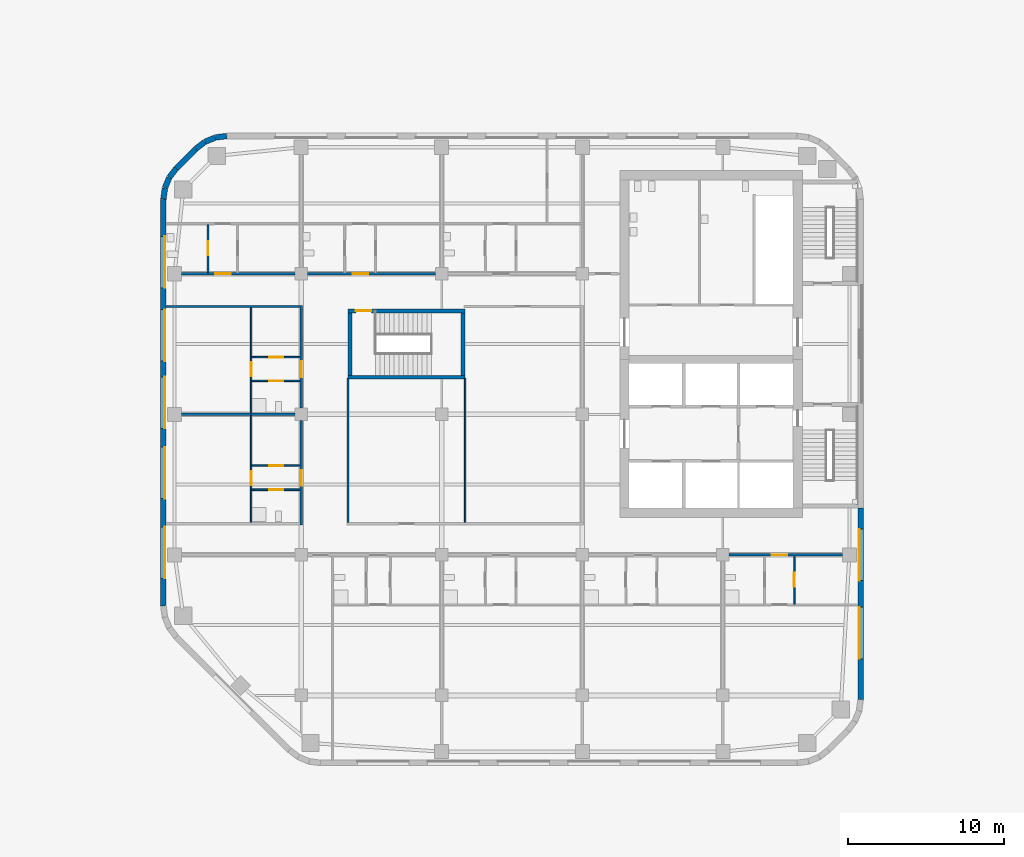
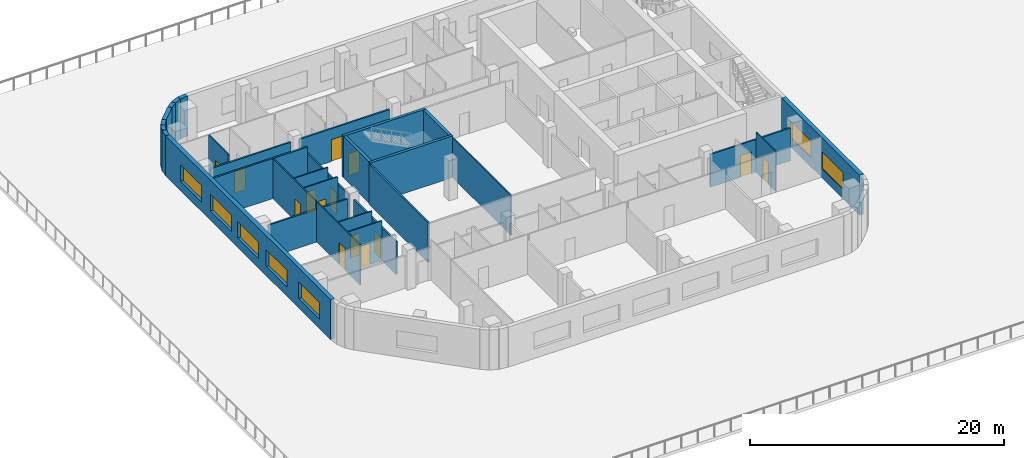
# One storey, part 6 of 18: 30 walls, 14 doors, 7 windows, 21 openings.
"""IFC4 building model written with IfcOpenShell, lengths in metres."""

import ifcopenshell
import ifcopenshell.guid

model = None  # the IFC model being written
_history = None  # IfcOwnerHistory: only IFC2X3 demands one
_inside = {}  # id of a spatial element -> (the spatial element, [elements in it])
_under = {}  # id of a project, library or spatial element -> (it, [spatial elements below it])
_declared = {}  # id of a project -> (the project, [libraries it declares])
_typed = {}  # id of a type object -> (the type object, [elements of that type])
_made_of = {}  # id of a material, layer set ... -> (it, [elements and type objects made of it])


def new_model(schema):
    """Start an empty IFC model of exactly this schema.

    Asked for "IFC4X3", IfcOpenShell would pick the latest addendum, in which some entities
    have other attributes; the version numbers below select the first issue.
    IFC2X3 requires an IfcOwnerHistory on every rooted entity: one is made here for all.
    """
    global model, _history
    if schema == "IFC4X3":
        model = ifcopenshell.file(schema_version=(4, 3, 0, 0))
    else:
        model = ifcopenshell.file(schema=schema)
    _inside.clear()
    _under.clear()
    _declared.clear()
    _typed.clear()
    _made_of.clear()
    _history = None
    if model.schema == "IFC2X3":
        org = make("IfcOrganization", Name="unknown")
        user = make(
            "IfcPersonAndOrganization",
            ThePerson=make("IfcPerson", FamilyName="unknown"),
            TheOrganization=org,
        )
        app = make(
            "IfcApplication",
            ApplicationDeveloper=org,
            Version="unknown",
            ApplicationFullName="unknown",
            ApplicationIdentifier="unknown",
        )
        _history = make(
            "IfcOwnerHistory",
            OwningUser=user,
            OwningApplication=app,
            ChangeAction="ADDED",
            CreationDate=0,
        )
    return model


def make(cls, **values):
    """One entity of the class cls with the attributes given. An attribute that is None is left unset."""
    return model.create_entity(
        cls, **{name: value for name, value in values.items() if value is not None}
    )


def rooted(cls, **values):
    """An entity with a GlobalId (a new one), such as an element, a storey or a relation."""
    return make(cls, GlobalId=ifcopenshell.guid.new(), OwnerHistory=_history, **values)


def si_unit(unit_type, name, prefix=None):
    """IfcSIUnit, for example si_unit("LENGTHUNIT", "METRE", prefix="MILLI")."""
    return make("IfcSIUnit", UnitType=unit_type, Prefix=prefix, Name=name)


def assignment(units):
    """IfcUnitAssignment: the units of a project."""
    return None if units is None else make("IfcUnitAssignment", Units=units)


def point(xyz):
    """IfcCartesianPoint."""
    return None if xyz is None else make("IfcCartesianPoint", Coordinates=xyz)


def direction(xyz):
    """IfcDirection."""
    return None if xyz is None else make("IfcDirection", DirectionRatios=xyz)


def frame(location, z_axis=None, x_axis=None):
    """IfcAxis2Placement3D, a coordinate frame: its origin and axes. An axis left out is left unset."""
    return make(
        "IfcAxis2Placement3D",
        Location=point(location),
        Axis=direction(z_axis),
        RefDirection=direction(x_axis),
    )


def frame_2d(location, x_axis=None):
    """IfcAxis2Placement2D, a coordinate frame in the plane: its origin and x axis."""
    return make(
        "IfcAxis2Placement2D", Location=point(location), RefDirection=direction(x_axis)
    )


def origin():
    """The frame at (0, 0, 0) with its axes left unset."""
    return frame((0.0, 0.0, 0.0))


def place(relative_to, where):
    """IfcLocalPlacement: puts the frame where relative to a parent placement (None: the world)."""
    return make(
        "IfcLocalPlacement", PlacementRelTo=relative_to, RelativePlacement=where
    )


def context(
    kind, dimensions, precision=None, world=None, true_north=None, identifier=None
):
    """IfcGeometricRepresentationContext, for example the 3D "Model" context."""
    return make(
        "IfcGeometricRepresentationContext",
        ContextIdentifier=identifier,
        ContextType=kind,
        CoordinateSpaceDimension=dimensions,
        Precision=precision,
        WorldCoordinateSystem=world,
        TrueNorth=true_north,
    )


def subcontext(parent, identifier, kind, view, scale=None):
    """IfcGeometricRepresentationSubContext, for example "Body" below "Model"."""
    return make(
        "IfcGeometricRepresentationSubContext",
        ContextIdentifier=identifier,
        ContextType=kind,
        ParentContext=parent,
        TargetScale=scale,
        TargetView=view,
    )


def project(units=None, contexts=None):
    """IfcProject with its units and contexts."""
    return rooted(
        "IfcProject",
        Name="project",
        RepresentationContexts=contexts,
        UnitsInContext=assignment(units),
    )


def spatial(cls, under=None, at=None, **own):
    """A site, building, storey or space (cls), placed at a placement, below another one or the project."""
    s = rooted(cls, ObjectPlacement=at, **own)
    if under is not None:
        _under.setdefault(under.id(), (under, []))[1].append(s)
    return s


def profile(cls, at=None, kind="AREA", **sizes):
    """A parametric profile (cls). Its sizes go by their IFC names, for example OverallWidth=200.0."""
    return make(cls, ProfileType=kind, Position=at, **sizes)


def rectangle(**sizes):
    """IfcRectangleProfileDef."""
    return profile("IfcRectangleProfileDef", **sizes)


def extrude(swept, where, along, depth):
    """IfcExtrudedAreaSolid: the profile swept, set in the frame where, extruded along a direction by depth."""
    return make(
        "IfcExtrudedAreaSolid",
        SweptArea=swept,
        Position=where,
        ExtrudedDirection=direction(along),
        Depth=depth,
    )


def shape(context_of_items, identifier, shape_type, items):
    """IfcShapeRepresentation: the items that make up one representation, for example the "Body"."""
    return make(
        "IfcShapeRepresentation",
        ContextOfItems=context_of_items,
        RepresentationIdentifier=identifier,
        RepresentationType=shape_type,
        Items=items,
    )


def material(Name=None, Category=None):
    """IfcMaterial."""
    return make("IfcMaterial", Name=Name, Category=Category)


def layer(
    of_material, thickness, ventilated=None, Name=None, Category=None, Priority=None
):
    """IfcMaterialLayer: one layer of a wall or slab, of a material (None: an air gap)."""
    return make(
        "IfcMaterialLayer",
        Material=of_material,
        LayerThickness=thickness,
        IsVentilated=ventilated,
        Name=Name,
        Category=Category,
        Priority=Priority,
    )


def layer_set(layers, Name=None):
    """IfcMaterialLayerSet."""
    return make("IfcMaterialLayerSet", MaterialLayers=layers, LayerSetName=Name)


def made_of(thing, what):
    """Note that an element or type object is made of a material, layer set ...; save() writes the relation."""
    if what is not None:
        _made_of.setdefault(what.id(), (what, []))[1].append(thing)
    return thing


def type_object(cls, material=None, **own):
    """A type object (cls), such as IfcWallType, which elements share."""
    return made_of(rooted(cls, **own), material)


def element(
    cls,
    number,
    at=None,
    inside=None,
    cuts=None,
    type_object=None,
    material=None,
    context=None,
    identifier="Body",
    shape_type=None,
    held_by="IfcProductDefinitionShape",
    body=None,
    shapes=None,
    **own,
):
    """One element of the class cls, such as IfcWall. Its Tag is "e" and its number.

    at: its placement. inside: the storey or other place that contains it. cuts: it is an
    opening in that element (IfcRelVoidsElement). A single representation is given by context,
    identifier, shape_type and body (its items); several are given by shapes. held_by: the class
    of the entity that holds the representations. save() writes the other relations.
    """
    e = rooted(cls, Tag="e%d" % number, ObjectPlacement=at, **own)
    if body is not None:
        shapes = [shape(context, identifier, shape_type, body)]
    if shapes is not None:
        e.Representation = make(held_by, Representations=shapes)
    if inside is not None:
        _inside.setdefault(inside.id(), (inside, []))[1].append(e)
    if cuts is not None:
        rooted(
            "IfcRelVoidsElement", RelatingBuildingElement=cuts, RelatedOpeningElement=e
        )
    if type_object is not None:
        _typed.setdefault(type_object.id(), (type_object, []))[1].append(e)
    return made_of(e, material)


def fill(opening, filler):
    """IfcRelFillsElement: the door or window that sits in an opening."""
    return rooted(
        "IfcRelFillsElement",
        RelatingOpeningElement=opening,
        RelatedBuildingElement=filler,
    )


def aggregate(whole, parts):
    """IfcRelAggregates: a whole, such as a stair, and the parts it consists of."""
    return rooted("IfcRelAggregates", RelatingObject=whole, RelatedObjects=parts)


def save(model, path):
    """Write the relations noted so far, then the file.

    IfcRelAggregates (storeys below a building ...), IfcRelContainedInSpatialStructure (elements
    in a storey), IfcRelDefinesByType, IfcRelAssociatesMaterial and IfcRelDeclares: one each for
    every whole, place, type object, material and project.
    """
    for whole, parts in _under.values():
        aggregate(whole, parts)
    for where, things in _inside.values():
        rooted(
            "IfcRelContainedInSpatialStructure",
            RelatedElements=things,
            RelatingStructure=where,
        )
    for kind, things in _typed.values():
        rooted("IfcRelDefinesByType", RelatedObjects=things, RelatingType=kind)
    for what, things in _made_of.values():
        rooted("IfcRelAssociatesMaterial", RelatedObjects=things, RelatingMaterial=what)
    for by, libraries in _declared.values():
        rooted("IfcRelDeclares", RelatingContext=by, RelatedDefinitions=libraries)
    model.write(path)


model = new_model("IFC4")

# Units and contexts
model_context = context("Model", 3, precision=1e-05, world=origin(), true_north=direction((0.0, 1.0)))
body_context = subcontext(model_context, "Body", "Model", "MODEL_VIEW")
ifc_project = project(units=[si_unit("LENGTHUNIT", "METRE"), si_unit("AREAUNIT", "SQUARE_METRE"), si_unit("VOLUMEUNIT", "CUBIC_METRE"), si_unit("PLANEANGLEUNIT", "RADIAN"), si_unit("MASSUNIT", "GRAM", prefix="KILO")], contexts=[model_context])

# Site, building, storey
site_placement = place(None, origin())
site = spatial("IfcSite", under=ifc_project, at=site_placement, CompositionType="ELEMENT")
building_placement = place(site_placement, origin())
building = spatial("IfcBuilding", under=site, at=building_placement, Name="Cinnabar Reach Civic Tower", CompositionType="ELEMENT")
storey_placement = place(building_placement, frame((0.0, 0.0, 26.0)))
storey = spatial("IfcBuildingStorey", under=building, at=storey_placement, Name="L05", CompositionType="ELEMENT", Elevation=26.0)

# Walls
ifc_material_1 = material(Name="Facing brick with insulated backing", Category="masonry")
ifc_layer_1 = layer(ifc_material_1, 0.36)
ifc_layer_set_1 = layer_set([ifc_layer_1], Name="Brick corner wall")
wall_type_1 = type_object("IfcWallType", Name="Brick corner wall", PredefinedType="STANDARD", material=ifc_layer_set_1)
for number, where, z_axis, x_axis, name in (
    (1, (-67.7686, 44.817, 0.0), (0.0, 0.0, 1.0), (-0.99144092581, -0.13055608231, 0.0), "Brick corner wall"),
    (2, (-68.4973, 44.7181, 0.0), (0.0, 0.0, 1.0), (-0.923871547278, -0.382702709855, 0.0), "Brick corner wall"),
):
    element("IfcWall", number, at=place(storey_placement, frame(where, z_axis=z_axis, x_axis=x_axis)), inside=storey, type_object=wall_type_1, Name=name, PredefinedType="STANDARD", context=body_context, shape_type="SweptSolid", body=[
        extrude(rectangle(XDim=0.7131, YDim=0.36, at=frame_2d((0.3565, 0.0))), origin(), (0.0, 0.0, 1.0), 3.85),
    ])
for number, where, z_axis, x_axis, name in (
    (3, (-69.1755, 44.434, 0.0), (0.0, 0.0, 1.0), (-0.793321924995, -0.608802368033, 0.0), "Brick corner wall"),
    (4, (-70.9998, 42.7413, 0.0), (0.0, 0.0, 1.0), (-0.608802368033, -0.793321924995, 0.0), "Brick corner wall"),
):
    element("IfcWall", number, at=place(storey_placement, frame(where, z_axis=z_axis, x_axis=x_axis)), inside=storey, type_object=wall_type_1, Name=name, PredefinedType="STANDARD", context=body_context, shape_type="SweptSolid", body=[
        extrude(rectangle(XDim=0.7132, YDim=0.36, at=frame_2d((0.3566, 0.0))), origin(), (0.0, 0.0, 1.0), 3.85),
    ])
for number, where, z_axis, x_axis, name in (
    (5, (-71.4452, 42.1561, 0.0), (0.0, 0.0, 1.0), (-0.382702709855, -0.923871547278, 0.0), "Brick corner wall"),
    (6, (-71.7239, 41.4756, 0.0), (0.0, 0.0, 1.0), (-0.13055608231, -0.99144092581, 0.0), "Brick corner wall"),
):
    element("IfcWall", number, at=place(storey_placement, frame(where, z_axis=z_axis, x_axis=x_axis)), inside=storey, type_object=wall_type_1, Name=name, PredefinedType="STANDARD", context=body_context, shape_type="SweptSolid", body=[
        extrude(rectangle(XDim=0.7131, YDim=0.36, at=frame_2d((0.3565, 0.0))), origin(), (0.0, 0.0, 1.0), 3.85),
    ])

# Wall, openings, windows
ifc_layer_2 = layer(ifc_material_1, 0.36)
ifc_layer_set_2 = layer_set([ifc_layer_2], Name="Brick pier and spandrel wall")
wall_type_2 = type_object("IfcWallType", Name="Brick pier and spandrel wall", PredefinedType="STANDARD", material=ifc_layer_set_2)
wall_1_placement = place(storey_placement, frame((-27.18, 8.7426, 0.0), z_axis=(0.0, 0.0, 1.0), x_axis=(0.0, 1.0, 0.0)))
wall_1 = element("IfcWall", 7, at=wall_1_placement, inside=storey, type_object=wall_type_2, Name="Brick facade wall", PredefinedType="STANDARD", context=body_context, shape_type="SweptSolid", body=[
    extrude(rectangle(XDim=12.2574, YDim=0.36, at=frame_2d((6.1287, 0.0))), origin(), (0.0, 0.0, 1.0), 3.85),
])
opening_1_placement = place(wall_1_placement, frame((2.6074, 0.0, 0.9)))
opening_1 = element("IfcOpeningElement", 8, at=opening_1_placement, cuts=wall_1, Name="Opening W2356", PredefinedType="OPENING", context=body_context, shape_type="SweptSolid", body=[
    extrude(rectangle(XDim=3.3, YDim=1.6, at=frame_2d((1.65, 0.8))), frame((0.0, 0.19, 0.0), z_axis=(0.0, -1.0, 0.0), x_axis=(1.0, 0.0, 0.0)), (0.0, 0.0, 1.0), 0.38),
])
opening_2_placement = place(wall_1_placement, frame((7.6074, 0.0, 0.9)))
opening_2 = element("IfcOpeningElement", 9, at=opening_2_placement, cuts=wall_1, Name="Opening W2357", PredefinedType="OPENING", context=body_context, shape_type="SweptSolid", body=[
    extrude(rectangle(XDim=3.3, YDim=1.6, at=frame_2d((1.65, 0.8))), frame((0.0, 0.19, 0.0), z_axis=(0.0, -1.0, 0.0), x_axis=(1.0, 0.0, 0.0)), (0.0, 0.0, 1.0), 0.38),
])
ifc_material_2 = material(Name="Clear double glazing in aluminium frame", Category="aluminium")
window_type = type_object("IfcWindowType", Name="Deep-set window A", PartitioningType="SINGLE_PANEL", PredefinedType="WINDOW", material=ifc_material_2)
window_1_placement = place(opening_1_placement, origin())
window_1 = element("IfcWindow", 10, at=window_1_placement, inside=storey, type_object=window_type, Name="Window east face", OverallHeight=1.6, OverallWidth=3.3, PartitioningType="SINGLE_PANEL", PredefinedType="WINDOW", context=body_context, shape_type="SweptSolid", body=[
    extrude(rectangle(XDim=3.3, YDim=1.6, at=frame_2d((1.65, 0.8))), frame((0.0, 0.13, 0.0), z_axis=(0.0, -1.0, 0.0), x_axis=(1.0, 0.0, 0.0)), (0.0, 0.0, 1.0), 0.06),
])
fill(opening_1, window_1)
window_2_placement = place(opening_2_placement, origin())
window_2 = element("IfcWindow", 11, at=window_2_placement, inside=storey, type_object=window_type, Name="Window east face", OverallHeight=1.6, OverallWidth=3.3, PartitioningType="SINGLE_PANEL", PredefinedType="WINDOW", context=body_context, shape_type="SweptSolid", body=[
    extrude(rectangle(XDim=3.3, YDim=1.6, at=frame_2d((1.65, 0.8))), frame((0.0, 0.13, 0.0), z_axis=(0.0, -1.0, 0.0), x_axis=(1.0, 0.0, 0.0)), (0.0, 0.0, 1.0), 0.06),
])
fill(opening_2, window_2)

# Wall
wall_2_placement = place(storey_placement, frame((-69.7514, 43.994, 0.0), z_axis=(0.0, 0.0, 1.0), x_axis=(-0.707106781187, -0.707106781187, 0.0)))
element("IfcWall", 12, at=wall_2_placement, inside=storey, type_object=wall_type_2, Name="Brick facade wall", PredefinedType="STANDARD", context=body_context, shape_type="SweptSolid", body=[
    extrude(rectangle(XDim=1.7573, YDim=0.36, at=frame_2d((0.8787, 0.0))), origin(), (0.0, 0.0, 1.0), 3.85),
])

# Wall, openings, windows
wall_3_placement = place(storey_placement, frame((-71.82, 40.7574, 0.0), z_axis=(0.0, 0.0, 1.0), x_axis=(0.0, -1.0, 0.0)))
wall_3 = element("IfcWall", 13, at=wall_3_placement, inside=storey, type_object=wall_type_2, Name="Brick facade wall", PredefinedType="STANDARD", context=body_context, shape_type="SweptSolid", body=[
    extrude(rectangle(XDim=26.0148, YDim=0.36, at=frame_2d((13.0074, 0.0))), origin(), (0.0, 0.0, 1.0), 3.85),
])
opening_3_placement = place(wall_3_placement, frame((2.3574, 0.0, 0.9)))
opening_3 = element("IfcOpeningElement", 14, at=opening_3_placement, cuts=wall_3, Name="Opening W2366", PredefinedType="OPENING", context=body_context, shape_type="SweptSolid", body=[
    extrude(rectangle(XDim=3.3, YDim=1.6, at=frame_2d((1.65, 0.8))), frame((0.0, 0.19, 0.0), z_axis=(0.0, -1.0, 0.0), x_axis=(1.0, 0.0, 0.0)), (0.0, 0.0, 1.0), 0.38),
])
opening_4_placement = place(wall_3_placement, frame((7.0574, 0.0, 0.9)))
opening_4 = element("IfcOpeningElement", 15, at=opening_4_placement, cuts=wall_3, Name="Opening W2367", PredefinedType="OPENING", context=body_context, shape_type="SweptSolid", body=[
    extrude(rectangle(XDim=3.3, YDim=1.6, at=frame_2d((1.65, 0.8))), frame((0.0, 0.19, 0.0), z_axis=(0.0, -1.0, 0.0), x_axis=(1.0, 0.0, 0.0)), (0.0, 0.0, 1.0), 0.38),
])
opening_5_placement = place(wall_3_placement, frame((11.3574, 0.0, 0.9)))
opening_5 = element("IfcOpeningElement", 16, at=opening_5_placement, cuts=wall_3, Name="Opening W2368", PredefinedType="OPENING", context=body_context, shape_type="SweptSolid", body=[
    extrude(rectangle(XDim=3.3, YDim=1.6, at=frame_2d((1.65, 0.8))), frame((0.0, 0.19, 0.0), z_axis=(0.0, -1.0, 0.0), x_axis=(1.0, 0.0, 0.0)), (0.0, 0.0, 1.0), 0.38),
])
opening_6_placement = place(wall_3_placement, frame((15.8574, 0.0, 0.9)))
opening_6 = element("IfcOpeningElement", 17, at=opening_6_placement, cuts=wall_3, Name="Opening W2369", PredefinedType="OPENING", context=body_context, shape_type="SweptSolid", body=[
    extrude(rectangle(XDim=3.3, YDim=1.6, at=frame_2d((1.65, 0.8))), frame((0.0, 0.19, 0.0), z_axis=(0.0, -1.0, 0.0), x_axis=(1.0, 0.0, 0.0)), (0.0, 0.0, 1.0), 0.38),
])
opening_7_placement = place(wall_3_placement, frame((20.9574, 0.0, 0.9)))
opening_7 = element("IfcOpeningElement", 18, at=opening_7_placement, cuts=wall_3, Name="Opening W2370", PredefinedType="OPENING", context=body_context, shape_type="SweptSolid", body=[
    extrude(rectangle(XDim=3.3, YDim=1.6, at=frame_2d((1.65, 0.8))), frame((0.0, 0.19, 0.0), z_axis=(0.0, -1.0, 0.0), x_axis=(1.0, 0.0, 0.0)), (0.0, 0.0, 1.0), 0.38),
])
window_3_placement = place(opening_3_placement, origin())
window_3 = element("IfcWindow", 19, at=window_3_placement, inside=storey, type_object=window_type, Name="Window west face", OverallHeight=1.6, OverallWidth=3.3, PartitioningType="SINGLE_PANEL", PredefinedType="WINDOW", context=body_context, shape_type="SweptSolid", body=[
    extrude(rectangle(XDim=3.3, YDim=1.6, at=frame_2d((1.65, 0.8))), frame((0.0, 0.13, 0.0), z_axis=(0.0, -1.0, 0.0), x_axis=(1.0, 0.0, 0.0)), (0.0, 0.0, 1.0), 0.06),
])
fill(opening_3, window_3)
window_4_placement = place(opening_4_placement, origin())
window_4 = element("IfcWindow", 20, at=window_4_placement, inside=storey, type_object=window_type, Name="Window west face", OverallHeight=1.6, OverallWidth=3.3, PartitioningType="SINGLE_PANEL", PredefinedType="WINDOW", context=body_context, shape_type="SweptSolid", body=[
    extrude(rectangle(XDim=3.3, YDim=1.6, at=frame_2d((1.65, 0.8))), frame((0.0, 0.13, 0.0), z_axis=(0.0, -1.0, 0.0), x_axis=(1.0, 0.0, 0.0)), (0.0, 0.0, 1.0), 0.06),
])
fill(opening_4, window_4)
window_5_placement = place(opening_5_placement, origin())
window_5 = element("IfcWindow", 21, at=window_5_placement, inside=storey, type_object=window_type, Name="Window west face", OverallHeight=1.6, OverallWidth=3.3, PartitioningType="SINGLE_PANEL", PredefinedType="WINDOW", context=body_context, shape_type="SweptSolid", body=[
    extrude(rectangle(XDim=3.3, YDim=1.6, at=frame_2d((1.65, 0.8))), frame((0.0, 0.13, 0.0), z_axis=(0.0, -1.0, 0.0), x_axis=(1.0, 0.0, 0.0)), (0.0, 0.0, 1.0), 0.06),
])
fill(opening_5, window_5)
window_6_placement = place(opening_6_placement, origin())
window_6 = element("IfcWindow", 22, at=window_6_placement, inside=storey, type_object=window_type, Name="Window west face", OverallHeight=1.6, OverallWidth=3.3, PartitioningType="SINGLE_PANEL", PredefinedType="WINDOW", context=body_context, shape_type="SweptSolid", body=[
    extrude(rectangle(XDim=3.3, YDim=1.6, at=frame_2d((1.65, 0.8))), frame((0.0, 0.13, 0.0), z_axis=(0.0, -1.0, 0.0), x_axis=(1.0, 0.0, 0.0)), (0.0, 0.0, 1.0), 0.06),
])
fill(opening_6, window_6)
window_7_placement = place(opening_7_placement, origin())
window_7 = element("IfcWindow", 23, at=window_7_placement, inside=storey, type_object=window_type, Name="Window west face", OverallHeight=1.6, OverallWidth=3.3, PartitioningType="SINGLE_PANEL", PredefinedType="WINDOW", context=body_context, shape_type="SweptSolid", body=[
    extrude(rectangle(XDim=3.3, YDim=1.6, at=frame_2d((1.65, 0.8))), frame((0.0, 0.13, 0.0), z_axis=(0.0, -1.0, 0.0), x_axis=(1.0, 0.0, 0.0)), (0.0, 0.0, 1.0), 0.06),
])
fill(opening_7, window_7)

# Wall, opening, door
ifc_material_3 = material(Name="Gypsum board on steel studs, double layer", Category="steel")
ifc_layer_3 = layer(ifc_material_3, 0.15)
ifc_layer_set_3 = layer_set([ifc_layer_3], Name="Corridor wall 150 T2")
wall_type_3 = type_object("IfcWallType", Name="Corridor wall 150 T2", PredefinedType="PARTITIONING", material=ifc_layer_set_3)
wall_4_placement = place(storey_placement, frame((-35.6, 18.0, 0.0), z_axis=(0.0, 0.0, 1.0), x_axis=(1.0, 0.0, 0.0)))
wall_4 = element("IfcWall", 24, at=wall_4_placement, inside=storey, type_object=wall_type_3, Name="Corridor wall 1", PredefinedType="PARTITIONING", context=body_context, shape_type="SweptSolid", body=[
    extrude(rectangle(XDim=7.25, YDim=0.15, at=frame_2d((3.625, 0.0))), origin(), (0.0, 0.0, 1.0), 3.15),
])
opening_8_placement = place(wall_4_placement, frame((2.7284, 0.0, 0.0)))
opening_8 = element("IfcOpeningElement", 25, at=opening_8_placement, cuts=wall_4, Name="Opening D6122", PredefinedType="OPENING", context=body_context, shape_type="SweptSolid", body=[
    extrude(rectangle(XDim=1.0, YDim=2.1, at=frame_2d((0.5, 1.05))), frame((0.0, 0.085, 0.0), z_axis=(0.0, -1.0, 0.0), x_axis=(1.0, 0.0, 0.0)), (0.0, 0.0, 1.0), 0.17),
])
ifc_material_4 = material(Name="Timber door leaf in steel frame", Category="steel")
door_type_1 = type_object("IfcDoorType", Name="Tenancy entrance door 1000 x 2100 T2", OperationType="SINGLE_SWING_LEFT", PredefinedType="DOOR", material=ifc_material_4)
door_1_placement = place(opening_8_placement, frame((1.0, 0.0, 0.0), z_axis=(0.0, 0.0, 1.0), x_axis=(-1.0, 0.0, 0.0)))
door_1 = element("IfcDoor", 26, at=door_1_placement, inside=storey, type_object=door_type_1, Name="Door D6122", OperationType="SINGLE_SWING_RIGHT", OverallHeight=2.1, OverallWidth=1.0, PredefinedType="DOOR", context=body_context, shape_type="SweptSolid", body=[
    extrude(rectangle(XDim=1.0, YDim=2.1, at=frame_2d((0.5, 1.05))), frame((0.0, 0.025, 0.0), z_axis=(0.0, -1.0, 0.0), x_axis=(1.0, 0.0, 0.0)), (0.0, 0.0, 1.0), 0.05),
])
fill(opening_8, door_1)

wall_5_placement = place(storey_placement, frame((-62.6, 36.0, 0.0), z_axis=(0.0, 0.0, 1.0), x_axis=(1.0, 0.0, 0.0)))
wall_5 = element("IfcWall", 27, at=wall_5_placement, inside=storey, type_object=wall_type_3, Name="Corridor wall 8", PredefinedType="PARTITIONING", context=body_context, shape_type="SweptSolid", body=[
    extrude(rectangle(XDim=8.2, YDim=0.15, at=frame_2d((4.1, 0.0))), origin(), (0.0, 0.0, 1.0), 3.15),
])
opening_9_placement = place(wall_5_placement, frame((2.89, 0.0, 0.0)))
opening_9 = element("IfcOpeningElement", 28, at=opening_9_placement, cuts=wall_5, Name="Opening D6130", PredefinedType="OPENING", context=body_context, shape_type="SweptSolid", body=[
    extrude(rectangle(XDim=1.0, YDim=2.1, at=frame_2d((0.5, 1.05))), frame((0.0, 0.085, 0.0), z_axis=(0.0, -1.0, 0.0), x_axis=(1.0, 0.0, 0.0)), (0.0, 0.0, 1.0), 0.17),
])
door_2_placement = place(opening_9_placement, origin())
door_2 = element("IfcDoor", 29, at=door_2_placement, inside=storey, type_object=door_type_1, Name="Door D6130", OperationType="SINGLE_SWING_RIGHT", OverallHeight=2.1, OverallWidth=1.0, PredefinedType="DOOR", context=body_context, shape_type="SweptSolid", body=[
    extrude(rectangle(XDim=1.0, YDim=2.1, at=frame_2d((0.5, 1.05))), frame((0.0, 0.025, 0.0), z_axis=(0.0, -1.0, 0.0), x_axis=(1.0, 0.0, 0.0)), (0.0, 0.0, 1.0), 0.05),
])
fill(opening_9, door_2)

wall_6_placement = place(storey_placement, frame((-70.65, 36.0, 0.0), z_axis=(0.0, 0.0, 1.0), x_axis=(1.0, 0.0, 0.0)))
wall_6 = element("IfcWall", 30, at=wall_6_placement, inside=storey, type_object=wall_type_3, Name="Corridor wall 9", PredefinedType="PARTITIONING", context=body_context, shape_type="SweptSolid", body=[
    extrude(rectangle(XDim=7.25, YDim=0.15, at=frame_2d((3.625, 0.0))), origin(), (0.0, 0.0, 1.0), 3.15),
])
opening_10_placement = place(wall_6_placement, frame((2.1384, 0.0, 0.0)))
opening_10 = element("IfcOpeningElement", 31, at=opening_10_placement, cuts=wall_6, Name="Opening D6126", PredefinedType="OPENING", context=body_context, shape_type="SweptSolid", body=[
    extrude(rectangle(XDim=1.0, YDim=2.1, at=frame_2d((0.5, 1.05))), frame((0.0, 0.085, 0.0), z_axis=(0.0, -1.0, 0.0), x_axis=(1.0, 0.0, 0.0)), (0.0, 0.0, 1.0), 0.17),
])
door_3_placement = place(opening_10_placement, origin())
door_3 = element("IfcDoor", 32, at=door_3_placement, inside=storey, type_object=door_type_1, Name="Door D6126", OperationType="SINGLE_SWING_LEFT", OverallHeight=2.1, OverallWidth=1.0, PredefinedType="DOOR", context=body_context, shape_type="SweptSolid", body=[
    extrude(rectangle(XDim=1.0, YDim=2.1, at=frame_2d((0.5, 1.05))), frame((0.0, 0.025, 0.0), z_axis=(0.0, -1.0, 0.0), x_axis=(1.0, 0.0, 0.0)), (0.0, 0.0, 1.0), 0.05),
])
fill(opening_10, door_3)

wall_7_placement = place(storey_placement, frame((-63.0, 19.925, 0.0), z_axis=(0.0, 0.0, 1.0), x_axis=(0.0, 1.0, 0.0)))
wall_7 = element("IfcWall", 33, at=wall_7_placement, inside=storey, type_object=wall_type_3, Name="Corridor wall 11", PredefinedType="PARTITIONING", context=body_context, shape_type="SweptSolid", body=[
    extrude(rectangle(XDim=6.675, YDim=0.15, at=frame_2d((3.3375, 0.0))), origin(), (0.0, 0.0, 1.0), 3.158),
])
opening_11_placement = place(wall_7_placement, frame((2.495, 0.0, 0.0)))
opening_11 = element("IfcOpeningElement", 34, at=opening_11_placement, cuts=wall_7, Name="Opening D6139", PredefinedType="OPENING", context=body_context, shape_type="SweptSolid", body=[
    extrude(rectangle(XDim=1.0, YDim=2.1, at=frame_2d((0.5, 1.05))), frame((0.0, 0.085, 0.0), z_axis=(0.0, -1.0, 0.0), x_axis=(1.0, 0.0, 0.0)), (0.0, 0.0, 1.0), 0.17),
])
door_4_placement = place(opening_11_placement, origin())
door_4 = element("IfcDoor", 35, at=door_4_placement, inside=storey, type_object=door_type_1, Name="Door D6139", OperationType="SINGLE_SWING_LEFT", OverallHeight=2.1, OverallWidth=1.0, PredefinedType="DOOR", context=body_context, shape_type="SweptSolid", body=[
    extrude(rectangle(XDim=1.0, YDim=2.1, at=frame_2d((0.5, 1.05))), frame((0.0, 0.025, 0.0), z_axis=(0.0, -1.0, 0.0), x_axis=(1.0, 0.0, 0.0)), (0.0, 0.0, 1.0), 0.05),
])
fill(opening_11, door_4)

wall_8_placement = place(storey_placement, frame((-63.0, 27.4, 0.0), z_axis=(0.0, 0.0, 1.0), x_axis=(0.0, 1.0, 0.0)))
wall_8 = element("IfcWall", 36, at=wall_8_placement, inside=storey, type_object=wall_type_3, Name="Corridor wall 12", PredefinedType="PARTITIONING", context=body_context, shape_type="SweptSolid", body=[
    extrude(rectangle(XDim=6.575, YDim=0.15, at=frame_2d((3.2875, 0.0))), origin(), (0.0, 0.0, 1.0), 3.158),
])
opening_12_placement = place(wall_8_placement, frame((1.989, 0.0, 0.0)))
opening_12 = element("IfcOpeningElement", 37, at=opening_12_placement, cuts=wall_8, Name="Opening D6143", PredefinedType="OPENING", context=body_context, shape_type="SweptSolid", body=[
    extrude(rectangle(XDim=1.0, YDim=2.1, at=frame_2d((0.5, 1.05))), frame((0.0, 0.085, 0.0), z_axis=(0.0, -1.0, 0.0), x_axis=(1.0, 0.0, 0.0)), (0.0, 0.0, 1.0), 0.17),
])
door_5_placement = place(opening_12_placement, origin())
door_5 = element("IfcDoor", 38, at=door_5_placement, inside=storey, type_object=door_type_1, Name="Door D6143", OperationType="SINGLE_SWING_RIGHT", OverallHeight=2.1, OverallWidth=1.0, PredefinedType="DOOR", context=body_context, shape_type="SweptSolid", body=[
    extrude(rectangle(XDim=1.0, YDim=2.1, at=frame_2d((0.5, 1.05))), frame((0.0, 0.025, 0.0), z_axis=(0.0, -1.0, 0.0), x_axis=(1.0, 0.0, 0.0)), (0.0, 0.0, 1.0), 0.05),
])
fill(opening_12, door_5)

# Walls
wall_9_placement = place(storey_placement, frame((-60.0, 20.075, 0.0), z_axis=(0.0, 0.0, 1.0), x_axis=(0.0, 1.0, 0.0)))
element("IfcWall", 39, at=wall_9_placement, inside=storey, type_object=wall_type_3, Name="Corridor wall 15", PredefinedType="PARTITIONING", context=body_context, shape_type="SweptSolid", body=[
    extrude(rectangle(XDim=9.25, YDim=0.15, at=frame_2d((4.625, 0.0))), origin(), (0.0, 0.0, 1.0), 3.85),
])
wall_10_placement = place(storey_placement, frame((-71.64, 33.9, 0.0), z_axis=(0.0, 0.0, 1.0), x_axis=(1.0, 0.0, 0.0)))
element("IfcWall", 40, at=wall_10_placement, inside=storey, type_object=wall_type_3, Name="Corridor wall 17", PredefinedType="PARTITIONING", context=body_context, shape_type="SweptSolid", body=[
    extrude(rectangle(XDim=8.565, YDim=0.15, at=frame_2d((4.2825, 0.0))), origin(), (0.0, 0.0, 1.0), 3.85),
])

# Wall, opening, door
ifc_material_5 = material(Name="Gypsum board on steel studs", Category="steel")
ifc_layer_4 = layer(ifc_material_5, 0.1)
ifc_layer_set_4 = layer_set([ifc_layer_4], Name="Partition wall 100 T2")
wall_type_4 = type_object("IfcWallType", Name="Partition wall 100 T2", PredefinedType="PARTITIONING", material=ifc_layer_set_4)
wall_11_placement = place(storey_placement, frame((-66.2, 27.075, 0.0), z_axis=(0.0, 0.0, 1.0), x_axis=(0.0, 1.0, 0.0)))
wall_11 = element("IfcWall", 41, at=wall_11_placement, inside=storey, type_object=wall_type_4, Name="Partition wall 35", PredefinedType="PARTITIONING", context=body_context, shape_type="SweptSolid", body=[
    extrude(rectangle(XDim=6.75, YDim=0.1, at=frame_2d((3.375, 0.0))), origin(), (0.0, 0.0, 1.0), 3.85),
])
opening_13_placement = place(wall_11_placement, frame((2.364, 0.0, 0.0)))
opening_13 = element("IfcOpeningElement", 42, at=opening_13_placement, cuts=wall_11, Name="Opening D6142", PredefinedType="OPENING", context=body_context, shape_type="SweptSolid", body=[
    extrude(rectangle(XDim=0.9, YDim=2.1, at=frame_2d((0.45, 1.05))), frame((0.0, 0.06, 0.0), z_axis=(0.0, -1.0, 0.0), x_axis=(1.0, 0.0, 0.0)), (0.0, 0.0, 1.0), 0.12),
])
door_type_2 = type_object("IfcDoorType", Name="Single swing door 900 x 2100 T2", OperationType="SINGLE_SWING_LEFT", PredefinedType="DOOR", material=ifc_material_4)
door_6_placement = place(opening_13_placement, frame((0.9, 0.0, 0.0), z_axis=(0.0, 0.0, 1.0), x_axis=(-1.0, 0.0, 0.0)))
door_6 = element("IfcDoor", 43, at=door_6_placement, inside=storey, type_object=door_type_2, Name="Door D6142", OperationType="SINGLE_SWING_RIGHT", OverallHeight=2.1, OverallWidth=0.9, PredefinedType="DOOR", context=body_context, shape_type="SweptSolid", body=[
    extrude(rectangle(XDim=0.9, YDim=2.1, at=frame_2d((0.45, 1.05))), frame((0.0, 0.025, 0.0), z_axis=(0.0, -1.0, 0.0), x_axis=(1.0, 0.0, 0.0)), (0.0, 0.0, 1.0), 0.05),
])
fill(opening_13, door_6)

wall_12_placement = place(storey_placement, frame((-66.2, 20.075, 0.0), z_axis=(0.0, 0.0, 1.0), x_axis=(0.0, 1.0, 0.0)))
wall_12 = element("IfcWall", 44, at=wall_12_placement, inside=storey, type_object=wall_type_4, Name="Partition wall 36", PredefinedType="PARTITIONING", context=body_context, shape_type="SweptSolid", body=[
    extrude(rectangle(XDim=6.85, YDim=0.1, at=frame_2d((3.425, 0.0))), origin(), (0.0, 0.0, 1.0), 3.85),
])
opening_14_placement = place(wall_12_placement, frame((2.395, 0.0, 0.0)))
opening_14 = element("IfcOpeningElement", 45, at=opening_14_placement, cuts=wall_12, Name="Opening D6138", PredefinedType="OPENING", context=body_context, shape_type="SweptSolid", body=[
    extrude(rectangle(XDim=0.9, YDim=2.1, at=frame_2d((0.45, 1.05))), frame((0.0, 0.06, 0.0), z_axis=(0.0, -1.0, 0.0), x_axis=(1.0, 0.0, 0.0)), (0.0, 0.0, 1.0), 0.12),
])
door_7_placement = place(opening_14_placement, frame((0.9, 0.0, 0.0), z_axis=(0.0, 0.0, 1.0), x_axis=(-1.0, 0.0, 0.0)))
door_7 = element("IfcDoor", 46, at=door_7_placement, inside=storey, type_object=door_type_2, Name="Door D6138", OperationType="SINGLE_SWING_RIGHT", OverallHeight=2.1, OverallWidth=0.9, PredefinedType="DOOR", context=body_context, shape_type="SweptSolid", body=[
    extrude(rectangle(XDim=0.9, YDim=2.1, at=frame_2d((0.45, 1.05))), frame((0.0, 0.025, 0.0), z_axis=(0.0, -1.0, 0.0), x_axis=(1.0, 0.0, 0.0)), (0.0, 0.0, 1.0), 0.05),
])
fill(opening_14, door_7)

# Wall
wall_13_placement = place(storey_placement, frame((-52.5, 20.075, 0.0), z_axis=(0.0, 0.0, 1.0), x_axis=(0.0, 1.0, 0.0)))
element("IfcWall", 47, at=wall_13_placement, inside=storey, type_object=wall_type_4, Name="Partition wall 39", PredefinedType="PARTITIONING", context=body_context, shape_type="SweptSolid", body=[
    extrude(rectangle(XDim=9.225, YDim=0.1, at=frame_2d((4.6125, 0.0))), origin(), (0.0, 0.0, 1.0), 3.85),
])

# Wall, opening, door
wall_14_placement = place(storey_placement, frame((-66.15, 22.17, 0.0), z_axis=(0.0, 0.0, 1.0), x_axis=(1.0, 0.0, 0.0)))
wall_14 = element("IfcWall", 48, at=wall_14_placement, inside=storey, type_object=wall_type_4, Name="Partition wall 43", PredefinedType="PARTITIONING", context=body_context, shape_type="SweptSolid", body=[
    extrude(rectangle(XDim=3.075, YDim=0.1, at=frame_2d((1.5375, 0.0))), origin(), (0.0, 0.0, 1.0), 3.85),
])
opening_15_placement = place(wall_14_placement, frame((1.1, 0.0, 0.0)))
opening_15 = element("IfcOpeningElement", 49, at=opening_15_placement, cuts=wall_14, Name="Opening D6136", PredefinedType="OPENING", context=body_context, shape_type="SweptSolid", body=[
    extrude(rectangle(XDim=0.9, YDim=2.1, at=frame_2d((0.45, 1.05))), frame((0.0, 0.06, 0.0), z_axis=(0.0, -1.0, 0.0), x_axis=(1.0, 0.0, 0.0)), (0.0, 0.0, 1.0), 0.12),
])
door_8_placement = place(opening_15_placement, frame((0.9, 0.0, 0.0), z_axis=(0.0, 0.0, 1.0), x_axis=(-1.0, 0.0, 0.0)))
door_8 = element("IfcDoor", 50, at=door_8_placement, inside=storey, type_object=door_type_2, Name="Door D6136", OperationType="SINGLE_SWING_RIGHT", OverallHeight=2.1, OverallWidth=0.9, PredefinedType="DOOR", context=body_context, shape_type="SweptSolid", body=[
    extrude(rectangle(XDim=0.9, YDim=2.1, at=frame_2d((0.45, 1.05))), frame((0.0, 0.025, 0.0), z_axis=(0.0, -1.0, 0.0), x_axis=(1.0, 0.0, 0.0)), (0.0, 0.0, 1.0), 0.05),
])
fill(opening_15, door_8)

wall_15_placement = place(storey_placement, frame((-66.15, 23.71, 0.0), z_axis=(0.0, 0.0, 1.0), x_axis=(1.0, 0.0, 0.0)))
wall_15 = element("IfcWall", 51, at=wall_15_placement, inside=storey, type_object=wall_type_4, Name="Partition wall 44", PredefinedType="PARTITIONING", context=body_context, shape_type="SweptSolid", body=[
    extrude(rectangle(XDim=3.075, YDim=0.1, at=frame_2d((1.5375, 0.0))), origin(), (0.0, 0.0, 1.0), 3.85),
])
opening_16_placement = place(wall_15_placement, frame((1.1, 0.0, 0.0)))
opening_16 = element("IfcOpeningElement", 52, at=opening_16_placement, cuts=wall_15, Name="Opening D6137", PredefinedType="OPENING", context=body_context, shape_type="SweptSolid", body=[
    extrude(rectangle(XDim=0.9, YDim=2.1, at=frame_2d((0.45, 1.05))), frame((0.0, 0.06, 0.0), z_axis=(0.0, -1.0, 0.0), x_axis=(1.0, 0.0, 0.0)), (0.0, 0.0, 1.0), 0.12),
])
door_9_placement = place(opening_16_placement, frame((0.9, 0.0, 0.0), z_axis=(0.0, 0.0, 1.0), x_axis=(-1.0, 0.0, 0.0)))
door_9 = element("IfcDoor", 53, at=door_9_placement, inside=storey, type_object=door_type_2, Name="Door D6137", OperationType="SINGLE_SWING_RIGHT", OverallHeight=2.1, OverallWidth=0.9, PredefinedType="DOOR", context=body_context, shape_type="SweptSolid", body=[
    extrude(rectangle(XDim=0.9, YDim=2.1, at=frame_2d((0.45, 1.05))), frame((0.0, 0.025, 0.0), z_axis=(0.0, -1.0, 0.0), x_axis=(1.0, 0.0, 0.0)), (0.0, 0.0, 1.0), 0.05),
])
fill(opening_16, door_9)

wall_16_placement = place(storey_placement, frame((-66.15, 29.139, 0.0), z_axis=(0.0, 0.0, 1.0), x_axis=(1.0, 0.0, 0.0)))
wall_16 = element("IfcWall", 54, at=wall_16_placement, inside=storey, type_object=wall_type_4, Name="Partition wall 45", PredefinedType="PARTITIONING", context=body_context, shape_type="SweptSolid", body=[
    extrude(rectangle(XDim=3.075, YDim=0.1, at=frame_2d((1.5375, 0.0))), origin(), (0.0, 0.0, 1.0), 3.85),
])
opening_17_placement = place(wall_16_placement, frame((1.1, 0.0, 0.0)))
opening_17 = element("IfcOpeningElement", 55, at=opening_17_placement, cuts=wall_16, Name="Opening D6140", PredefinedType="OPENING", context=body_context, shape_type="SweptSolid", body=[
    extrude(rectangle(XDim=0.9, YDim=2.1, at=frame_2d((0.45, 1.05))), frame((0.0, 0.06, 0.0), z_axis=(0.0, -1.0, 0.0), x_axis=(1.0, 0.0, 0.0)), (0.0, 0.0, 1.0), 0.12),
])
door_10_placement = place(opening_17_placement, frame((0.9, 0.0, 0.0), z_axis=(0.0, 0.0, 1.0), x_axis=(-1.0, 0.0, 0.0)))
door_10 = element("IfcDoor", 56, at=door_10_placement, inside=storey, type_object=door_type_2, Name="Door D6140", OperationType="SINGLE_SWING_LEFT", OverallHeight=2.1, OverallWidth=0.9, PredefinedType="DOOR", context=body_context, shape_type="SweptSolid", body=[
    extrude(rectangle(XDim=0.9, YDim=2.1, at=frame_2d((0.45, 1.05))), frame((0.0, 0.025, 0.0), z_axis=(0.0, -1.0, 0.0), x_axis=(1.0, 0.0, 0.0)), (0.0, 0.0, 1.0), 0.05),
])
fill(opening_17, door_10)

wall_17_placement = place(storey_placement, frame((-66.15, 30.657, 0.0), z_axis=(0.0, 0.0, 1.0), x_axis=(1.0, 0.0, 0.0)))
wall_17 = element("IfcWall", 57, at=wall_17_placement, inside=storey, type_object=wall_type_4, Name="Partition wall 46", PredefinedType="PARTITIONING", context=body_context, shape_type="SweptSolid", body=[
    extrude(rectangle(XDim=3.075, YDim=0.1, at=frame_2d((1.5375, 0.0))), origin(), (0.0, 0.0, 1.0), 3.85),
])
opening_18_placement = place(wall_17_placement, frame((1.1, 0.0, 0.0)))
opening_18 = element("IfcOpeningElement", 58, at=opening_18_placement, cuts=wall_17, Name="Opening D6141", PredefinedType="OPENING", context=body_context, shape_type="SweptSolid", body=[
    extrude(rectangle(XDim=0.9, YDim=2.1, at=frame_2d((0.45, 1.05))), frame((0.0, 0.06, 0.0), z_axis=(0.0, -1.0, 0.0), x_axis=(1.0, 0.0, 0.0)), (0.0, 0.0, 1.0), 0.12),
])
door_11_placement = place(opening_18_placement, frame((0.9, 0.0, 0.0), z_axis=(0.0, 0.0, 1.0), x_axis=(-1.0, 0.0, 0.0)))
door_11 = element("IfcDoor", 59, at=door_11_placement, inside=storey, type_object=door_type_2, Name="Door D6141", OperationType="SINGLE_SWING_LEFT", OverallHeight=2.1, OverallWidth=0.9, PredefinedType="DOOR", context=body_context, shape_type="SweptSolid", body=[
    extrude(rectangle(XDim=0.9, YDim=2.1, at=frame_2d((0.45, 1.05))), frame((0.0, 0.025, 0.0), z_axis=(0.0, -1.0, 0.0), x_axis=(1.0, 0.0, 0.0)), (0.0, 0.0, 1.0), 0.05),
])
fill(opening_18, door_11)

wall_18_placement = place(storey_placement, frame((-68.9616, 36.075, 0.0), z_axis=(0.0, 0.0, 1.0), x_axis=(0.0, 1.0, 0.0)))
wall_18 = element("IfcWall", 60, at=wall_18_placement, inside=storey, type_object=wall_type_4, Name="Partition wall 47", PredefinedType="PARTITIONING", context=body_context, shape_type="SweptSolid", body=[
    extrude(rectangle(XDim=3.075, YDim=0.1, at=frame_2d((1.5375, 0.0))), origin(), (0.0, 0.0, 1.0), 3.85),
])
opening_19_placement = place(wall_18_placement, frame((1.1, 0.0, 0.0)))
opening_19 = element("IfcOpeningElement", 61, at=opening_19_placement, cuts=wall_18, Name="Opening D6123", PredefinedType="OPENING", context=body_context, shape_type="SweptSolid", body=[
    extrude(rectangle(XDim=0.9, YDim=2.1, at=frame_2d((0.45, 1.05))), frame((0.0, 0.06, 0.0), z_axis=(0.0, -1.0, 0.0), x_axis=(1.0, 0.0, 0.0)), (0.0, 0.0, 1.0), 0.12),
])
door_12_placement = place(opening_19_placement, origin())
door_12 = element("IfcDoor", 62, at=door_12_placement, inside=storey, type_object=door_type_2, Name="Door D6123", OperationType="SINGLE_SWING_LEFT", OverallHeight=2.1, OverallWidth=0.9, PredefinedType="DOOR", context=body_context, shape_type="SweptSolid", body=[
    extrude(rectangle(XDim=0.9, YDim=2.1, at=frame_2d((0.45, 1.05))), frame((0.0, 0.025, 0.0), z_axis=(0.0, -1.0, 0.0), x_axis=(1.0, 0.0, 0.0)), (0.0, 0.0, 1.0), 0.05),
])
fill(opening_19, door_12)

wall_19_placement = place(storey_placement, frame((-31.4208, 14.85, 0.0), z_axis=(0.0, 0.0, 1.0), x_axis=(0.0, 1.0, 0.0)))
wall_19 = element("IfcWall", 63, at=wall_19_placement, inside=storey, type_object=wall_type_4, Name="Partition wall 60", PredefinedType="PARTITIONING", context=body_context, shape_type="SweptSolid", body=[
    extrude(rectangle(XDim=3.075, YDim=0.1, at=frame_2d((1.5375, 0.0))), origin(), (0.0, 0.0, 1.0), 3.85),
])
opening_20_placement = place(wall_19_placement, frame((1.1, 0.0, 0.0)))
opening_20 = element("IfcOpeningElement", 64, at=opening_20_placement, cuts=wall_19, Name="Opening D6120", PredefinedType="OPENING", context=body_context, shape_type="SweptSolid", body=[
    extrude(rectangle(XDim=0.9, YDim=2.1, at=frame_2d((0.45, 1.05))), frame((0.0, 0.06, 0.0), z_axis=(0.0, -1.0, 0.0), x_axis=(1.0, 0.0, 0.0)), (0.0, 0.0, 1.0), 0.12),
])
door_13_placement = place(opening_20_placement, origin())
door_13 = element("IfcDoor", 65, at=door_13_placement, inside=storey, type_object=door_type_2, Name="Door D6120", OperationType="SINGLE_SWING_LEFT", OverallHeight=2.1, OverallWidth=0.9, PredefinedType="DOOR", context=body_context, shape_type="SweptSolid", body=[
    extrude(rectangle(XDim=0.9, YDim=2.1, at=frame_2d((0.45, 1.05))), frame((0.0, 0.025, 0.0), z_axis=(0.0, -1.0, 0.0), x_axis=(1.0, 0.0, 0.0)), (0.0, 0.0, 1.0), 0.05),
])
fill(opening_20, door_13)

# Wall
ifc_material_6 = material(Name="Concrete C60", Category="concrete")
ifc_layer_5 = layer(ifc_material_6, 0.25)
ifc_layer_set_5 = layer_set([ifc_layer_5], Name="Stair shaft wall 250 EI 120")
wall_type_5 = type_object("IfcWallType", Name="Stair shaft wall 250 EI 120", PredefinedType="SOLIDWALL", material=ifc_layer_set_5)
wall_20_placement = place(storey_placement, frame((-60.0, 29.375, 0.0), z_axis=(0.0, 0.0, 1.0), x_axis=(1.0, 0.0, 0.0)))
element("IfcWall", 66, at=wall_20_placement, inside=storey, type_object=wall_type_5, Name="Stair shaft wall T2-S3 L05", PredefinedType="SOLIDWALL", context=body_context, shape_type="SweptSolid", body=[
    extrude(rectangle(XDim=7.5, YDim=0.25, at=frame_2d((3.75, 0.0))), origin(), (0.0, 0.0, 1.0), 4.0),
])

# Wall, opening, door
wall_21_placement = place(storey_placement, frame((-52.5, 33.625, 0.0), z_axis=(0.0, 0.0, 1.0), x_axis=(-1.0, 0.0, 0.0)))
wall_21 = element("IfcWall", 67, at=wall_21_placement, inside=storey, type_object=wall_type_5, Name="Stair shaft wall T2-S3 L05", PredefinedType="SOLIDWALL", context=body_context, shape_type="SweptSolid", body=[
    extrude(rectangle(XDim=7.5, YDim=0.25, at=frame_2d((3.75, 0.0))), origin(), (0.0, 0.0, 1.0), 4.0),
])
opening_21_placement = place(wall_21_placement, frame((6.0, 0.0, 0.0)))
opening_21 = element("IfcOpeningElement", 68, at=opening_21_placement, cuts=wall_21, Name="Opening D6146", PredefinedType="OPENING", context=body_context, shape_type="SweptSolid", body=[
    extrude(rectangle(XDim=1.0, YDim=2.1, at=frame_2d((0.5, 1.05))), frame((0.0, 0.135, 0.0), z_axis=(0.0, -1.0, 0.0), x_axis=(1.0, 0.0, 0.0)), (0.0, 0.0, 1.0), 0.27),
])
door_type_3 = type_object("IfcDoorType", Name="Stair door 1000 x 2100 T2", OperationType="SINGLE_SWING_LEFT", PredefinedType="DOOR", material=ifc_material_4)
door_14_placement = place(opening_21_placement, origin())
door_14 = element("IfcDoor", 69, at=door_14_placement, inside=storey, type_object=door_type_3, Name="Door D6146", OperationType="SINGLE_SWING_RIGHT", OverallHeight=2.1, OverallWidth=1.0, PredefinedType="DOOR", context=body_context, shape_type="SweptSolid", body=[
    extrude(rectangle(XDim=1.0, YDim=2.1, at=frame_2d((0.5, 1.05))), frame((0.0, 0.025, 0.0), z_axis=(0.0, -1.0, 0.0), x_axis=(1.0, 0.0, 0.0)), (0.0, 0.0, 1.0), 0.05),
])
fill(opening_21, door_14)

# Walls
for number, where, z_axis, x_axis, name in (
    (70, (-52.625, 29.5, 0.0), (0.0, 0.0, 1.0), (0.0, 1.0, 0.0), "Stair shaft wall T2-S3 L05"),
    (71, (-59.875, 33.5, 0.0), (0.0, 0.0, 1.0), (0.0, -1.0, 0.0), "Stair shaft wall T2-S3 L05"),
):
    element("IfcWall", number, at=place(storey_placement, frame(where, z_axis=z_axis, x_axis=x_axis)), inside=storey, type_object=wall_type_5, Name=name, PredefinedType="SOLIDWALL", context=body_context, shape_type="SweptSolid", body=[
        extrude(rectangle(XDim=4.0, YDim=0.25, at=frame_2d((2.0, 0.0))), origin(), (0.0, 0.0, 1.0), 4.0),
    ])
ifc_layer_6 = layer(ifc_material_3, 0.15)
ifc_layer_set_6 = layer_set([ifc_layer_6], Name="Tenancy separating wall 150 T2")
wall_type_6 = type_object("IfcWallType", Name="Tenancy separating wall 150 T2", PredefinedType="PARTITIONING", material=ifc_layer_set_6)
wall_22_placement = place(storey_placement, frame((-70.65, 27.0, 0.0), z_axis=(0.0, 0.0, 1.0), x_axis=(1.0, 0.0, 0.0)))
element("IfcWall", 72, at=wall_22_placement, inside=storey, type_object=wall_type_6, Name="Tenancy separating wall 25", PredefinedType="PARTITIONING", context=body_context, shape_type="SweptSolid", body=[
    extrude(rectangle(XDim=7.25, YDim=0.15, at=frame_2d((3.625, 0.0))), origin(), (0.0, 0.0, 1.0), 3.15),
])

save(model, "model.ifc")
